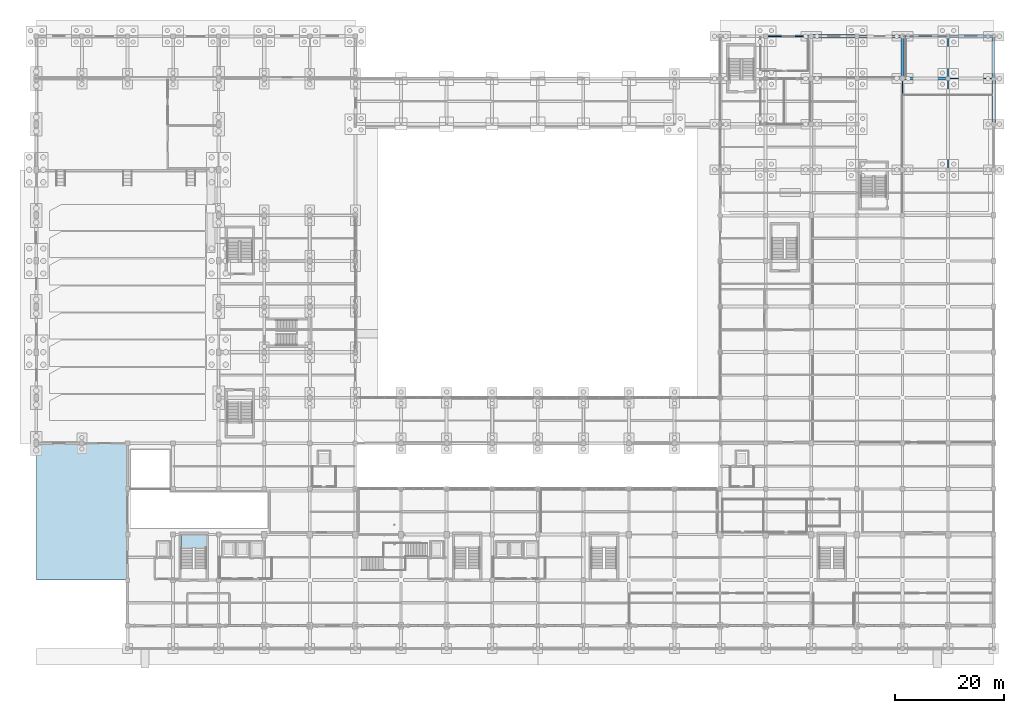
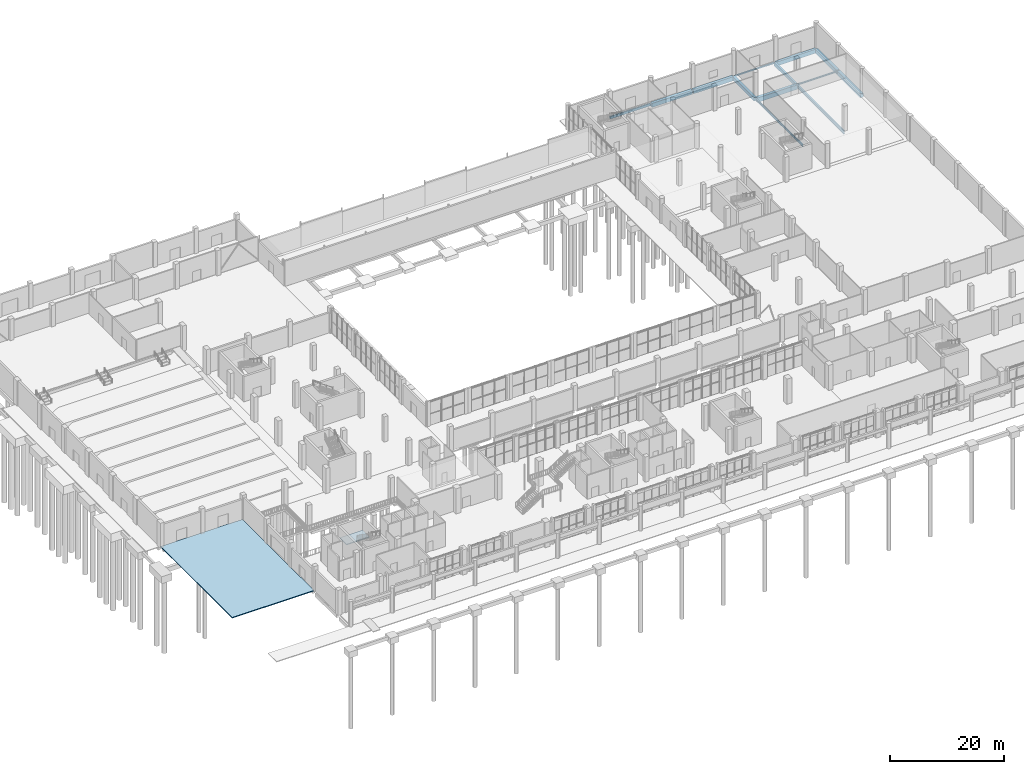
# One storey, part 53 of 82: 13 beams, 2 slabs, 1 element without a shape of its own.
"""IFC4 building model written with IfcOpenShell, lengths in metres."""

import ifcopenshell
import ifcopenshell.guid

model = None  # the IFC model being written
_history = None  # IfcOwnerHistory: only IFC2X3 demands one
_inside = {}  # id of a spatial element -> (the spatial element, [elements in it])
_under = {}  # id of a project, library or spatial element -> (it, [spatial elements below it])
_declared = {}  # id of a project -> (the project, [libraries it declares])
_typed = {}  # id of a type object -> (the type object, [elements of that type])
_made_of = {}  # id of a material, layer set ... -> (it, [elements and type objects made of it])


def new_model(schema):
    """Start an empty IFC model of exactly this schema.

    Asked for "IFC4X3", IfcOpenShell would pick the latest addendum, in which some entities
    have other attributes; the version numbers below select the first issue.
    IFC2X3 requires an IfcOwnerHistory on every rooted entity: one is made here for all.
    """
    global model, _history
    if schema == "IFC4X3":
        model = ifcopenshell.file(schema_version=(4, 3, 0, 0))
    else:
        model = ifcopenshell.file(schema=schema)
    _inside.clear()
    _under.clear()
    _declared.clear()
    _typed.clear()
    _made_of.clear()
    _history = None
    if model.schema == "IFC2X3":
        org = make("IfcOrganization", Name="unknown")
        user = make(
            "IfcPersonAndOrganization",
            ThePerson=make("IfcPerson", FamilyName="unknown"),
            TheOrganization=org,
        )
        app = make(
            "IfcApplication",
            ApplicationDeveloper=org,
            Version="unknown",
            ApplicationFullName="unknown",
            ApplicationIdentifier="unknown",
        )
        _history = make(
            "IfcOwnerHistory",
            OwningUser=user,
            OwningApplication=app,
            ChangeAction="ADDED",
            CreationDate=0,
        )
    return model


def make(cls, **values):
    """One entity of the class cls with the attributes given. An attribute that is None is left unset."""
    return model.create_entity(
        cls, **{name: value for name, value in values.items() if value is not None}
    )


def rooted(cls, **values):
    """An entity with a GlobalId (a new one), such as an element, a storey or a relation."""
    return make(cls, GlobalId=ifcopenshell.guid.new(), OwnerHistory=_history, **values)


def si_unit(unit_type, name, prefix=None):
    """IfcSIUnit, for example si_unit("LENGTHUNIT", "METRE", prefix="MILLI")."""
    return make("IfcSIUnit", UnitType=unit_type, Prefix=prefix, Name=name)


def derived_unit(unit_type, elements):
    """IfcDerivedUnit: a product of units, each with its exponent."""
    return make(
        "IfcDerivedUnit",
        Elements=[
            make("IfcDerivedUnitElement", Unit=unit, Exponent=power)
            for unit, power in elements
        ],
        UnitType=unit_type,
    )


def assignment(units):
    """IfcUnitAssignment: the units of a project."""
    return None if units is None else make("IfcUnitAssignment", Units=units)


def point(xyz):
    """IfcCartesianPoint."""
    return None if xyz is None else make("IfcCartesianPoint", Coordinates=xyz)


def direction(xyz):
    """IfcDirection."""
    return None if xyz is None else make("IfcDirection", DirectionRatios=xyz)


def frame(location, z_axis=None, x_axis=None):
    """IfcAxis2Placement3D, a coordinate frame: its origin and axes. An axis left out is left unset."""
    return make(
        "IfcAxis2Placement3D",
        Location=point(location),
        Axis=direction(z_axis),
        RefDirection=direction(x_axis),
    )


def frame_2d(location, x_axis=None):
    """IfcAxis2Placement2D, a coordinate frame in the plane: its origin and x axis."""
    return make(
        "IfcAxis2Placement2D", Location=point(location), RefDirection=direction(x_axis)
    )


def origin():
    """The frame at (0, 0, 0) with its axes left unset."""
    return frame((0.0, 0.0, 0.0))


def origin_2d():
    """The frame at (0, 0) in the plane with its x axis left unset."""
    return frame_2d((0.0, 0.0))


def place(relative_to, where):
    """IfcLocalPlacement: puts the frame where relative to a parent placement (None: the world)."""
    return make(
        "IfcLocalPlacement", PlacementRelTo=relative_to, RelativePlacement=where
    )


def context(
    kind, dimensions, precision=None, world=None, true_north=None, identifier=None
):
    """IfcGeometricRepresentationContext, for example the 3D "Model" context."""
    return make(
        "IfcGeometricRepresentationContext",
        ContextIdentifier=identifier,
        ContextType=kind,
        CoordinateSpaceDimension=dimensions,
        Precision=precision,
        WorldCoordinateSystem=world,
        TrueNorth=true_north,
    )


def subcontext(parent, identifier, kind, view, scale=None):
    """IfcGeometricRepresentationSubContext, for example "Body" below "Model"."""
    return make(
        "IfcGeometricRepresentationSubContext",
        ContextIdentifier=identifier,
        ContextType=kind,
        ParentContext=parent,
        TargetScale=scale,
        TargetView=view,
    )


def project(units=None, contexts=None):
    """IfcProject with its units and contexts."""
    return rooted(
        "IfcProject",
        Name="project",
        RepresentationContexts=contexts,
        UnitsInContext=assignment(units),
    )


def spatial(cls, under=None, at=None, **own):
    """A site, building, storey or space (cls), placed at a placement, below another one or the project."""
    s = rooted(cls, ObjectPlacement=at, **own)
    if under is not None:
        _under.setdefault(under.id(), (under, []))[1].append(s)
    return s


def polyline(points):
    """IfcPolyline through the points."""
    return make("IfcPolyline", Points=[point(p) for p in points])


def profile(cls, at=None, kind="AREA", **sizes):
    """A parametric profile (cls). Its sizes go by their IFC names, for example OverallWidth=200.0."""
    return make(cls, ProfileType=kind, Position=at, **sizes)


def rectangle(**sizes):
    """IfcRectangleProfileDef."""
    return profile("IfcRectangleProfileDef", **sizes)


def hollow_rectangle(**sizes):
    """IfcRectangleHollowProfileDef."""
    return profile("IfcRectangleHollowProfileDef", **sizes)


def i_section(**sizes):
    """IfcIShapeProfileDef."""
    return profile("IfcIShapeProfileDef", **sizes)


def outline(outer, holes=None, kind="AREA"):
    """IfcArbitraryClosedProfileDef: a profile drawn as a closed curve; with holes, ...WithVoids."""
    if holes is None:
        return make("IfcArbitraryClosedProfileDef", ProfileType=kind, OuterCurve=outer)
    return make(
        "IfcArbitraryProfileDefWithVoids",
        ProfileType=kind,
        OuterCurve=outer,
        InnerCurves=holes,
    )


def extrude(swept, where, along, depth):
    """IfcExtrudedAreaSolid: the profile swept, set in the frame where, extruded along a direction by depth."""
    return make(
        "IfcExtrudedAreaSolid",
        SweptArea=swept,
        Position=where,
        ExtrudedDirection=direction(along),
        Depth=depth,
    )


def shape(context_of_items, identifier, shape_type, items):
    """IfcShapeRepresentation: the items that make up one representation, for example the "Body"."""
    return make(
        "IfcShapeRepresentation",
        ContextOfItems=context_of_items,
        RepresentationIdentifier=identifier,
        RepresentationType=shape_type,
        Items=items,
    )


def material(Name=None, Category=None):
    """IfcMaterial."""
    return make("IfcMaterial", Name=Name, Category=Category)


def layer(
    of_material, thickness, ventilated=None, Name=None, Category=None, Priority=None
):
    """IfcMaterialLayer: one layer of a wall or slab, of a material (None: an air gap)."""
    return make(
        "IfcMaterialLayer",
        Material=of_material,
        LayerThickness=thickness,
        IsVentilated=ventilated,
        Name=Name,
        Category=Category,
        Priority=Priority,
    )


def layer_set(layers, Name=None):
    """IfcMaterialLayerSet."""
    return make("IfcMaterialLayerSet", MaterialLayers=layers, LayerSetName=Name)


def material_profile(
    of_material, cross_section, Name=None, Category=None, Priority=None
):
    """IfcMaterialProfile: a cross section and its material."""
    return make(
        "IfcMaterialProfile",
        Name=Name,
        Material=of_material,
        Profile=cross_section,
        Priority=Priority,
        Category=Category,
    )


def profile_set(profiles, Name=None, composite=None):
    """IfcMaterialProfileSet."""
    return make(
        "IfcMaterialProfileSet",
        Name=Name,
        MaterialProfiles=profiles,
        CompositeProfile=composite,
    )


def made_of(thing, what):
    """Note that an element or type object is made of a material, layer set ...; save() writes the relation."""
    if what is not None:
        _made_of.setdefault(what.id(), (what, []))[1].append(thing)
    return thing


def type_object(cls, material=None, **own):
    """A type object (cls), such as IfcWallType, which elements share."""
    return made_of(rooted(cls, **own), material)


def element(
    cls,
    number,
    at=None,
    inside=None,
    cuts=None,
    type_object=None,
    material=None,
    context=None,
    identifier="Body",
    shape_type=None,
    held_by="IfcProductDefinitionShape",
    body=None,
    shapes=None,
    **own,
):
    """One element of the class cls, such as IfcWall. Its Tag is "e" and its number.

    at: its placement. inside: the storey or other place that contains it. cuts: it is an
    opening in that element (IfcRelVoidsElement). A single representation is given by context,
    identifier, shape_type and body (its items); several are given by shapes. held_by: the class
    of the entity that holds the representations. save() writes the other relations.
    """
    e = rooted(cls, Tag="e%d" % number, ObjectPlacement=at, **own)
    if body is not None:
        shapes = [shape(context, identifier, shape_type, body)]
    if shapes is not None:
        e.Representation = make(held_by, Representations=shapes)
    if inside is not None:
        _inside.setdefault(inside.id(), (inside, []))[1].append(e)
    if cuts is not None:
        rooted(
            "IfcRelVoidsElement", RelatingBuildingElement=cuts, RelatedOpeningElement=e
        )
    if type_object is not None:
        _typed.setdefault(type_object.id(), (type_object, []))[1].append(e)
    return made_of(e, material)


def aggregate(whole, parts):
    """IfcRelAggregates: a whole, such as a stair, and the parts it consists of."""
    return rooted("IfcRelAggregates", RelatingObject=whole, RelatedObjects=parts)


def save(model, path):
    """Write the relations noted so far, then the file.

    IfcRelAggregates (storeys below a building ...), IfcRelContainedInSpatialStructure (elements
    in a storey), IfcRelDefinesByType, IfcRelAssociatesMaterial and IfcRelDeclares: one each for
    every whole, place, type object, material and project.
    """
    for whole, parts in _under.values():
        aggregate(whole, parts)
    for where, things in _inside.values():
        rooted(
            "IfcRelContainedInSpatialStructure",
            RelatedElements=things,
            RelatingStructure=where,
        )
    for kind, things in _typed.values():
        rooted("IfcRelDefinesByType", RelatedObjects=things, RelatingType=kind)
    for what, things in _made_of.values():
        rooted("IfcRelAssociatesMaterial", RelatedObjects=things, RelatingMaterial=what)
    for by, libraries in _declared.values():
        rooted("IfcRelDeclares", RelatingContext=by, RelatedDefinitions=libraries)
    model.write(path)


model = new_model("IFC4")

# Units and contexts
model_context = context("Model", 3, precision=1e-05, world=origin(), true_north=direction((0.0, 1.0)))
body_context = subcontext(model_context, "Body", "Model", "MODEL_VIEW")
ifc_project = project(units=[si_unit("LENGTHUNIT", "METRE"), si_unit("AREAUNIT", "SQUARE_METRE"), si_unit("VOLUMEUNIT", "CUBIC_METRE"), si_unit("PLANEANGLEUNIT", "RADIAN"), si_unit("MASSUNIT", "GRAM", prefix="KILO"), derived_unit("THERMALTRANSMITTANCEUNIT", [(si_unit("POWERUNIT", "WATT"), 1), (si_unit("LENGTHUNIT", "METRE"), -2), (si_unit("THERMODYNAMICTEMPERATUREUNIT", "KELVIN"), -1)])], contexts=[model_context])

# Site, building, storey
site_placement = place(None, origin())
site = spatial("IfcSite", under=ifc_project, at=site_placement, CompositionType="ELEMENT")
building_placement = place(site_placement, origin())
building = spatial("IfcBuilding", under=site, at=building_placement, Name="Barrovel Congress Hotel", CompositionType="ELEMENT")
storey_placement = place(building_placement, origin())
storey = spatial("IfcBuildingStorey", under=building, at=storey_placement, Name="L00", CompositionType="ELEMENT", Elevation=0.0)

# Beams
ifc_material_1 = material(Name="Concrete C40", Category="concrete")
ifc_material_profile_1 = material_profile(ifc_material_1, rectangle(XDim=0.25, YDim=0.5, at=origin_2d()), Name="RC250x500")
ifc_profile_set_1 = profile_set([ifc_material_profile_1], Name="Concrete C40")
beam_type_1 = type_object("IfcBeamType", Name="BM-RC250x500", PredefinedType="SPANDREL", material=ifc_profile_set_1)
beam_1_placement = place(storey_placement, frame((134.527099609375, 112.800048828125, -0.570068359375), z_axis=(1.0, 0.0, 0.0), x_axis=(0.0, 1.0, 0.0)))
element("IfcBeam", 1, at=beam_1_placement, inside=storey, type_object=beam_type_1, Name="BMX:L00:112.8:134.4-142.8", PredefinedType="SPANDREL", context=body_context, shape_type="SweptSolid", body=[
    extrude(rectangle(XDim=0.25, YDim=0.5, at=origin_2d()), origin(), (0.0, 0.0, 1.0), 8.14599609375),
])
ifc_material_profile_2 = material_profile(ifc_material_1, rectangle(XDim=0.39990234375, YDim=0.699951171875, at=origin_2d()), Name="RC400x700")
ifc_profile_set_2 = profile_set([ifc_material_profile_2], Name="Concrete C40")
beam_type_2 = type_object("IfcBeamType", Name="BM-RC400x700", PredefinedType="BEAM", material=ifc_profile_set_2)
beam_2_placement = place(storey_placement, frame((168.0, 105.126953125, -0.669921875), z_axis=(0.0, 1.0, 0.0), x_axis=(-1.0, 0.0, 0.0)))
element("IfcBeam", 2, at=beam_2_placement, inside=storey, type_object=beam_type_2, Name="BMY:L00:168.0:105.0-112.8", PredefinedType="BEAM", context=body_context, shape_type="SweptSolid", body=[
    extrude(rectangle(XDim=0.39990234375, YDim=0.699951171875, at=origin_2d()), origin(), (0.0, 0.0, 1.0), 7.546142578125),
])
ifc_material_profile_3 = material_profile(ifc_material_1, rectangle(XDim=0.5, YDim=0.75, at=origin_2d()), Name="RC500x750")
ifc_profile_set_3 = profile_set([ifc_material_profile_3], Name="Concrete C40")
beam_type_3 = type_object("IfcBeamType", Name="BM-RC500x750", PredefinedType="BEAM", material=ifc_profile_set_3)
beam_3_placement = place(storey_placement, frame((159.60009765625, 105.126953125, -0.695068359375), z_axis=(0.0, 1.0, 0.0), x_axis=(-1.0, 0.0, 0.0)))
element("IfcBeam", 3, at=beam_3_placement, inside=storey, type_object=beam_type_3, Name="BMY:L00:159.6:105.0-112.8", PredefinedType="BEAM", context=body_context, shape_type="SweptSolid", body=[
    extrude(rectangle(XDim=0.5, YDim=0.75, at=origin_2d()), origin(), (0.0, 0.0, 1.0), 7.546142578125),
])
ifc_material_profile_4 = material_profile(ifc_material_1, rectangle(XDim=0.5, YDim=0.85009765625, at=origin_2d()), Name="RC500x850")
ifc_profile_set_4 = profile_set([ifc_material_profile_4], Name="Concrete C40")
beam_type_4 = type_object("IfcBeamType", Name="BM-RC500x850", PredefinedType="BEAM", material=ifc_profile_set_4)
beam_4_placement = place(storey_placement, frame((168.126953125, 112.800048828125, -0.7451171875), z_axis=(1.0, 0.0, 0.0), x_axis=(0.0, 1.0, 0.0)))
element("IfcBeam", 4, at=beam_4_placement, inside=storey, type_object=beam_type_4, Name="BMX:L00:112.8:168.0-176.4", PredefinedType="BEAM", context=body_context, shape_type="SweptSolid", body=[
    extrude(rectangle(XDim=0.5, YDim=0.85009765625, at=origin_2d()), origin(), (0.0, 0.0, 1.0), 8.14599609375),
])
ifc_material_profile_5 = material_profile(ifc_material_1, rectangle(XDim=0.550048828125, YDim=0.89990234375, at=origin_2d()), Name="RC550x900")
ifc_profile_set_5 = profile_set([ifc_material_profile_5], Name="Concrete C40")
beam_type_5 = type_object("IfcBeamType", Name="BM-RC550x900", PredefinedType="BEAM", material=ifc_profile_set_5)
beam_5_placement = place(storey_placement, frame((151.326904296875, 112.800048828125, -0.77001953125), z_axis=(1.0, 0.0, 0.0), x_axis=(0.0, 1.0, 0.0)))
element("IfcBeam", 5, at=beam_5_placement, inside=storey, type_object=beam_type_5, Name="BMX:L00:112.8:151.2-159.6", PredefinedType="BEAM", context=body_context, shape_type="SweptSolid", body=[
    extrude(rectangle(XDim=0.550048828125, YDim=0.89990234375, at=origin_2d()), origin(), (0.0, 0.0, 1.0), 8.14599609375),
])
beam_6_placement = place(storey_placement, frame((176.39990234375, 105.126953125, -0.77001953125), z_axis=(0.0, 1.0, 0.0), x_axis=(-1.0, 0.0, 0.0)))
element("IfcBeam", 6, at=beam_6_placement, inside=storey, type_object=beam_type_5, Name="BMY:L00:176.4:105.0-112.8", PredefinedType="BEAM", context=body_context, shape_type="SweptSolid", body=[
    extrude(rectangle(XDim=0.550048828125, YDim=0.89990234375, at=origin_2d()), origin(), (0.0, 0.0, 1.0), 7.546142578125),
])
ifc_material_profile_6 = material_profile(ifc_material_1, rectangle(XDim=0.60009765625, YDim=0.85009765625, at=origin_2d()), Name="RC600x850")
ifc_profile_set_6 = profile_set([ifc_material_profile_6], Name="Concrete C40")
beam_type_6 = type_object("IfcBeamType", Name="BM-RC600x850", PredefinedType="BEAM", material=ifc_profile_set_6)
for number, where, z_axis, x_axis, name in (
    (7, (142.927001953125, 112.800048828125, -0.7451171875), (1.0, 0.0, 0.0), (0.0, 1.0, 0.0), "BMX:L00:112.8:142.8-151.2"),
    (8, (176.39990234375, 96.72705078125, -0.7451171875), (0.0, 1.0, 0.0), (-1.0, 0.0, 0.0), "BMY:L00:176.4:96.6-105.0"),
):
    element("IfcBeam", number, at=place(storey_placement, frame(where, z_axis=z_axis, x_axis=x_axis)), inside=storey, type_object=beam_type_6, Name=name, PredefinedType="BEAM", context=body_context, shape_type="SweptSolid", body=[
        extrude(rectangle(XDim=0.60009765625, YDim=0.85009765625, at=origin_2d()), origin(), (0.0, 0.0, 1.0), 8.14599609375),
    ])
ifc_material_profile_7 = material_profile(ifc_material_1, rectangle(XDim=0.60009765625, YDim=0.949951171875, at=origin_2d()), Name="RC600x950")
ifc_profile_set_7 = profile_set([ifc_material_profile_7], Name="Concrete C40")
beam_type_7 = type_object("IfcBeamType", Name="BM-RC600x950", PredefinedType="BEAM", material=ifc_profile_set_7)
beam_7_placement = place(storey_placement, frame((159.72705078125, 105.0, -0.794921875), z_axis=(1.0, 0.0, 0.0), x_axis=(0.0, 1.0, 0.0)))
element("IfcBeam", 9, at=beam_7_placement, inside=storey, type_object=beam_type_7, Name="BMX:L00:105.0:159.6-168.0", PredefinedType="BEAM", context=body_context, shape_type="SweptSolid", body=[
    extrude(rectangle(XDim=0.60009765625, YDim=0.949951171875, at=origin_2d()), origin(), (0.0, 0.0, 1.0), 8.14599609375),
])
ifc_material_2 = material(Name="Steel ASTM A500 Grade C", Category="steel")
ifc_material_profile_8 = material_profile(ifc_material_2, hollow_rectangle(XDim=0.203125, YDim=0.3046875, WallThickness=0.01171875, InnerFilletRadius=0.01171875, OuterFilletRadius=0.023681640625, at=origin_2d()), Name="HSS305x203x12.7")
ifc_profile_set_8 = profile_set([ifc_material_profile_8], Name="Steel ASTM A500 Grade C")
beam_type_8 = type_object("IfcBeamType", Name="SBM-HSS305x203x12.7", PredefinedType="SPANDREL", material=ifc_profile_set_8)
beam_8_placement = place(storey_placement, frame((159.72705078125, 112.800048828125, -0.472412109375), z_axis=(1.0, 0.0, 0.0), x_axis=(0.0, 1.0, 0.0)))
element("IfcBeam", 10, at=beam_8_placement, inside=storey, type_object=beam_type_8, Name="BMX:L00:112.8:159.6-168.0", PredefinedType="SPANDREL", context=body_context, shape_type="SweptSolid", body=[
    extrude(hollow_rectangle(XDim=0.203125, YDim=0.3046875, WallThickness=0.01171875, InnerFilletRadius=0.01171875, OuterFilletRadius=0.023681640625, at=origin_2d()), origin(), (0.0, 0.0, 1.0), 8.14599609375),
])
ifc_material_3 = material(Name="Steel ASTM A992 Grade 50", Category="steel")
ifc_material_profile_9 = material_profile(ifc_material_3, i_section(OverallWidth=0.205078125, OverallDepth=0.31005859375, WebThickness=0.009521484375, FlangeThickness=0.016357421875, FilletRadius=0.012939453125, at=origin_2d()), Name="W310x74")
ifc_profile_set_9 = profile_set([ifc_material_profile_9], Name="Steel ASTM A992 Grade 50")
beam_type_9 = type_object("IfcBeamType", Name="SBM-W310x74", PredefinedType="SPANDREL", material=ifc_profile_set_9)
beam_9_placement = place(storey_placement, frame((168.126953125, 105.0, -0.47509765625), z_axis=(1.0, 0.0, 0.0), x_axis=(0.0, 1.0, 0.0)))
element("IfcBeam", 11, at=beam_9_placement, inside=storey, type_object=beam_type_9, Name="BMX:L00:105.0:168.0-176.4", PredefinedType="SPANDREL", context=body_context, shape_type="SweptSolid", body=[
    extrude(i_section(OverallWidth=0.205078125, OverallDepth=0.31005859375, WebThickness=0.009521484375, FlangeThickness=0.016357421875, FilletRadius=0.012939453125, at=origin_2d()), origin(), (0.0, 0.0, 1.0), 8.14599609375),
])
ifc_material_profile_10 = material_profile(ifc_material_3, i_section(OverallWidth=0.19091796875, OverallDepth=0.4599609375, WebThickness=0.010009765625, FlangeThickness=0.01611328125, FilletRadius=0.012939453125, at=origin_2d()), Name="W460x82")
ifc_profile_set_10 = profile_set([ifc_material_profile_10], Name="Steel ASTM A992 Grade 50")
beam_type_10 = type_object("IfcBeamType", Name="SBM-W460x82", PredefinedType="BEAM", material=ifc_profile_set_10)
beam_10_placement = place(storey_placement, frame((159.60009765625, 88.326904296875, -0.550048828125), z_axis=(0.0, 1.0, 0.0), x_axis=(-1.0, 0.0, 0.0)))
element("IfcBeam", 12, at=beam_10_placement, inside=storey, type_object=beam_type_10, Name="BMY:L00:159.6:88.2-105.0", PredefinedType="BEAM", context=body_context, shape_type="SweptSolid", body=[
    extrude(i_section(OverallWidth=0.19091796875, OverallDepth=0.4599609375, WebThickness=0.010009765625, FlangeThickness=0.01611328125, FilletRadius=0.012939453125, at=origin_2d()), origin(), (0.0, 0.0, 1.0), 16.546142578125),
])
ifc_material_profile_11 = material_profile(ifc_material_3, i_section(OverallWidth=0.25390625, OverallDepth=0.68408203125, WebThickness=0.012451171875, FlangeThickness=0.01904296875, FilletRadius=0.014892578125, at=origin_2d()), Name="W690x140")
ifc_profile_set_11 = profile_set([ifc_material_profile_11], Name="Steel ASTM A992 Grade 50")
beam_type_11 = type_object("IfcBeamType", Name="SBM-W690x140", PredefinedType="BEAM", material=ifc_profile_set_11)
beam_11_placement = place(storey_placement, frame((168.0, 88.326904296875, -0.662109375), z_axis=(0.0, 1.0, 0.0), x_axis=(-1.0, 0.0, 0.0)))
element("IfcBeam", 13, at=beam_11_placement, inside=storey, type_object=beam_type_11, Name="BMY:L00:168.0:88.2-105.0", PredefinedType="BEAM", context=body_context, shape_type="SweptSolid", body=[
    extrude(i_section(OverallWidth=0.25390625, OverallDepth=0.68408203125, WebThickness=0.012451171875, FlangeThickness=0.01904296875, FilletRadius=0.014892578125, at=origin_2d()), origin(), (0.0, 0.0, 1.0), 16.546142578125),
])

# Slab
ifc_material_4 = material(Name="Concrete C35", Category="concrete")
ifc_layer_1 = layer(ifc_material_4, 0.179931640625)
ifc_layer_set_1 = layer_set([ifc_layer_1], Name="Concrete C35")
slab_type_1 = type_object("IfcSlabType", Name="SL-F180", PredefinedType="FLOOR", material=ifc_layer_set_1)
slab_1_placement = place(storey_placement, frame((0.0, 0.0, -0.179931640625)))
element("IfcSlab", 14, at=slab_1_placement, inside=storey, type_object=slab_type_1, Name="Exterior Stone Paving PAV-WEST-APRON", PredefinedType="FLOOR", context=body_context, shape_type="SweptSolid", body=[
    extrude(outline(polyline([(0.0, 12.60009765625), (16.60009765625, 12.60009765625), (16.60009765625, 37.800048828125), (0.0, 37.800048828125), (0.0, 12.60009765625)])), origin(), (0.0, 0.0, 1.0), 0.179931640625),
])

# Stair, slab
stair_type = type_object("IfcStairType", Name="STR-2Q-540", PredefinedType="TWO_QUARTER_TURN_STAIR", material=ifc_material_1)
stair_placement = place(storey_placement, origin())
stair = element("IfcStair", 15, at=stair_placement, inside=storey, type_object=stair_type, Name="Exit Stair XS-01 (L00)", PredefinedType="TWO_QUARTER_TURN_STAIR")
ifc_layer_2 = layer(ifc_material_1, 0.18994140625)
ifc_layer_set_2 = layer_set([ifc_layer_2], Name="Concrete C40")
slab_type_2 = type_object("IfcSlabType", Name="SL-LDG-190", PredefinedType="LANDING", material=ifc_layer_set_2)
slab_2_placement = place(storey_placement, frame((0.0, 0.0, 2.510009765625)))
slab_2 = element("IfcSlab", 16, at=slab_2_placement, type_object=slab_type_2, Name="STAIR:XS-01:L00:LDG", PredefinedType="LANDING", context=body_context, shape_type="SweptSolid", body=[
    extrude(outline(polyline([(26.679931640625, 18.6298828125), (31.320068359375, 18.6298828125), (31.320068359375, 21.02001953125), (26.679931640625, 21.02001953125), (26.679931640625, 18.6298828125)])), origin(), (0.0, 0.0, 1.0), 0.18994140625),
])
aggregate(stair, [slab_2])

save(model, "model.ifc")
